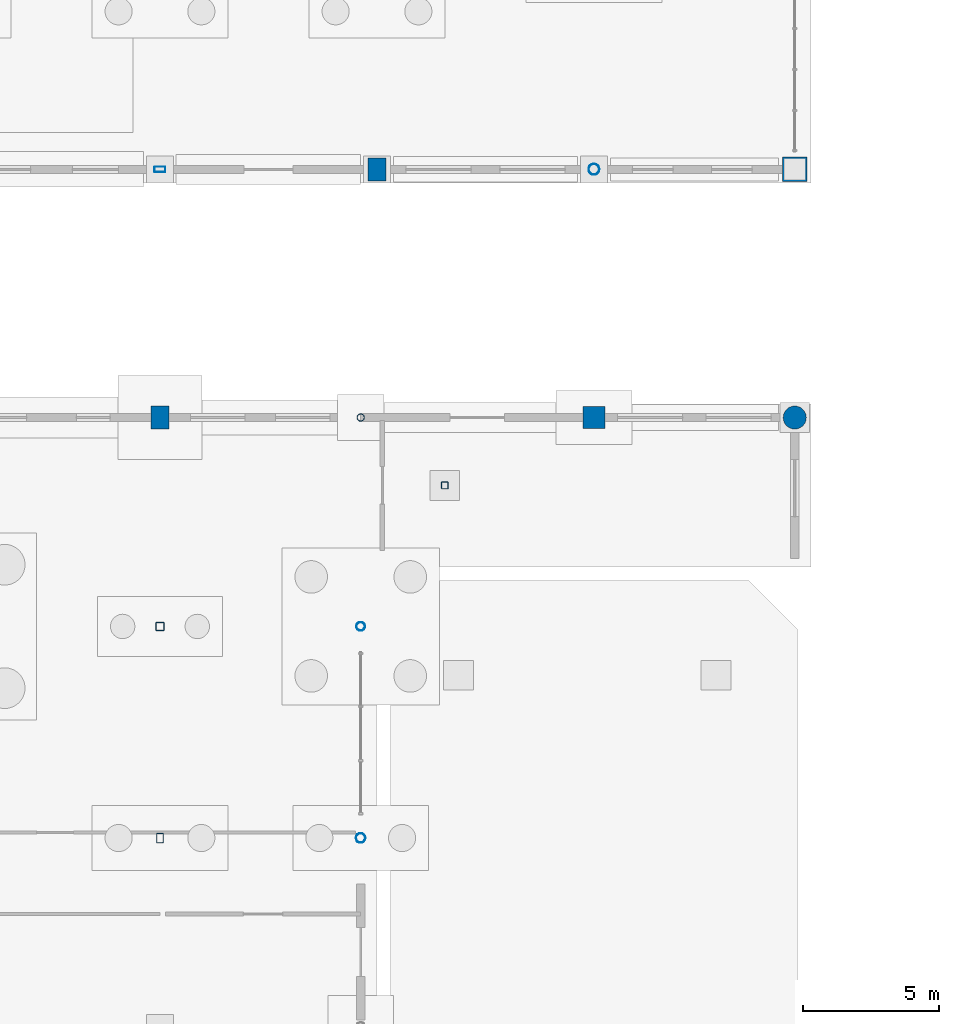
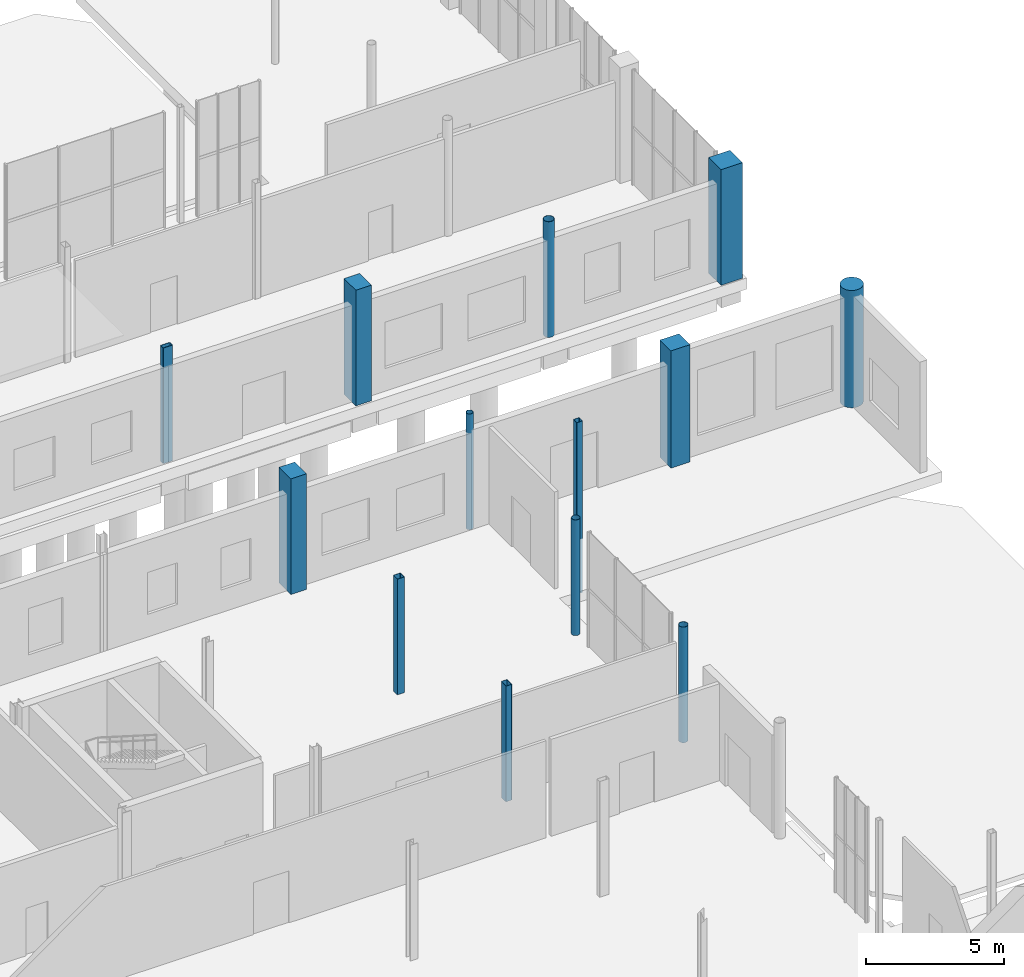
# One storey, part 31 of 87: 13 columns.
"""IFC4 building model written with IfcOpenShell, lengths in metres."""

from ifc_helpers import new_model, si_unit, direction, frame, origin, origin_2d, place, context, subcontext, project, spatial, rectangle, hollow_rectangle, circle, hollow_circle, extrude, material, material_profile, profile_set, type_object, element, save


model = new_model("IFC4")

# Units and contexts
model_context = context("Model", 3, precision=1e-05, world=origin(), true_north=direction((0.0, 1.0)))
body_context = subcontext(model_context, "Body", "Model", "MODEL_VIEW")
ifc_project = project(units=[si_unit("LENGTHUNIT", "METRE"), si_unit("AREAUNIT", "SQUARE_METRE"), si_unit("VOLUMEUNIT", "CUBIC_METRE"), si_unit("PLANEANGLEUNIT", "RADIAN"), si_unit("MASSUNIT", "GRAM", prefix="KILO")], contexts=[model_context])

# Site, building, storey
site_placement = place(None, origin())
site = spatial("IfcSite", under=ifc_project, at=site_placement, CompositionType="ELEMENT")
building_placement = place(site_placement, origin())
building = spatial("IfcBuilding", under=site, at=building_placement, Name="Brisemont Oceanarium", CompositionType="ELEMENT")
storey_placement = place(building_placement, origin())
storey = spatial("IfcBuildingStorey", under=building, at=storey_placement, Name="L00", CompositionType="ELEMENT", Elevation=0.0)

# Columns
ifc_material_1 = material(Name="Structural Steel ASTM A500 Gr.C", Category="steel")
ifc_material_profile_1 = material_profile(ifc_material_1, hollow_circle(Radius=0.136474609375, WallThickness=0.01171875, at=origin_2d()), Name="HSS10.750X0.500")
ifc_profile_set_1 = profile_set([ifc_material_profile_1], Name="Structural Steel ASTM A500 Gr.C")
column_type_1 = type_object("IfcColumnType", Name="COL-CHS10", PredefinedType="COLUMN", material=ifc_profile_set_1)
column_1_placement = place(storey_placement, frame((143.39990234375, 71.5, 0.0), z_axis=(0.0, 0.0, 1.0), x_axis=(0.0, 1.0, 0.0)))
element("IfcColumn", 1, at=column_1_placement, inside=storey, type_object=column_type_1, Name="V5E L00 column (4,5)", PredefinedType="COLUMN", context=body_context, shape_type="SweptSolid", body=[
    extrude(hollow_circle(Radius=0.136474609375, WallThickness=0.01171875, at=origin_2d()), origin(), (0.0, 0.0, 1.0), 5.1201171875),
])
ifc_material_2 = material(Name="Structural Steel ASTM A500 Gr.C", Category="steel")
ifc_material_profile_2 = material_profile(ifc_material_2, hollow_circle(Radius=0.162109375, WallThickness=0.01171875, at=origin_2d()), Name="HSS12.750X0.500")
ifc_profile_set_2 = profile_set([ifc_material_profile_2], Name="Structural Steel ASTM A500 Gr.C")
column_type_2 = type_object("IfcColumnType", Name="COL-CHS12", PredefinedType="COLUMN", material=ifc_profile_set_2)
column_2_placement = place(storey_placement, frame((143.39990234375, 63.800048828125, 0.0), z_axis=(0.0, 0.0, 1.0), x_axis=(1.0, 0.0, 0.0)))
element("IfcColumn", 2, at=column_2_placement, inside=storey, type_object=column_type_2, Name="V5E L00 column (4,4)", PredefinedType="COLUMN", context=body_context, shape_type="SweptSolid", body=[
    extrude(hollow_circle(Radius=0.162109375, WallThickness=0.01171875, at=origin_2d()), origin(), (0.0, 0.0, 1.0), 5.1201171875),
])
ifc_material_3 = material(Name="Structural Steel ASTM A500 Gr.C", Category="steel")
ifc_material_profile_3 = material_profile(ifc_material_3, hollow_circle(Radius=0.177978515625, WallThickness=0.01171875, at=origin_2d()), Name="HSS14.000X0.500")
ifc_profile_set_3 = profile_set([ifc_material_profile_3], Name="Structural Steel ASTM A500 Gr.C")
column_type_3 = type_object("IfcColumnType", Name="COL-CHS14", PredefinedType="COLUMN", material=ifc_profile_set_3)
column_3_placement = place(storey_placement, frame((143.39990234375, 56.0, 0.0), z_axis=(0.0, 0.0, 1.0), x_axis=(0.0, 1.0, 0.0)))
element("IfcColumn", 3, at=column_3_placement, inside=storey, type_object=column_type_3, Name="V5E L00 column (4,3)", PredefinedType="COLUMN", context=body_context, shape_type="SweptSolid", body=[
    extrude(hollow_circle(Radius=0.177978515625, WallThickness=0.01171875, at=origin_2d()), origin(), (0.0, 0.0, 1.0), 5.1201171875),
])
ifc_material_4 = material(Name="Structural Steel ASTM A500 Gr.C", Category="steel")
ifc_material_profile_4 = material_profile(ifc_material_4, hollow_circle(Radius=0.202880859375, WallThickness=0.01171875, at=origin_2d()), Name="HSS16.000X0.500")
ifc_profile_set_4 = profile_set([ifc_material_profile_4], Name="Structural Steel ASTM A500 Gr.C")
column_type_4 = type_object("IfcColumnType", Name="COL-CHS16", PredefinedType="COLUMN", material=ifc_profile_set_4)
column_4_placement = place(storey_placement, frame((152.0, 80.64990234375, 0.0), z_axis=(0.0, 0.0, 1.0), x_axis=(0.0, 1.0, 0.0)))
element("IfcColumn", 4, at=column_4_placement, inside=storey, type_object=column_type_4, Name="V6 L00 column (5,0)", PredefinedType="COLUMN", context=body_context, shape_type="SweptSolid", body=[
    extrude(hollow_circle(Radius=0.202880859375, WallThickness=0.01171875, at=origin_2d()), origin(), (0.0, 0.0, 1.0), 5.1201171875),
])
ifc_material_5 = material(Name="Structural Steel ASTM A500 Gr.C", Category="steel")
ifc_material_profile_5 = material_profile(ifc_material_5, hollow_rectangle(XDim=0.25390625, YDim=0.25390625, WallThickness=0.01171875, InnerFilletRadius=0.01220703125, OuterFilletRadius=0.02392578125, at=origin_2d()), Name="HSS10X10X1/2")
ifc_profile_set_5 = profile_set([ifc_material_profile_5], Name="Structural Steel ASTM A500 Gr.C")
column_type_5 = type_object("IfcColumnType", Name="COL-HSS10X10", PredefinedType="COLUMN", material=ifc_profile_set_5)
column_5_placement = place(storey_placement, frame((146.5, 69.0, -2.39990234375), z_axis=(0.0, 0.0, 1.0), x_axis=(1.0, 0.0, 0.0)))
element("IfcColumn", 5, at=column_5_placement, inside=storey, type_object=column_type_5, Name="V5E loggia pier 2", PredefinedType="COLUMN", context=body_context, shape_type="SweptSolid", body=[
    extrude(hollow_rectangle(XDim=0.25390625, YDim=0.25390625, WallThickness=0.01171875, InnerFilletRadius=0.01220703125, OuterFilletRadius=0.02392578125, at=origin_2d()), origin(), (0.0, 0.0, 1.0), 7.58984375),
])
ifc_material_6 = material(Name="Structural Steel ASTM A500 Gr.C", Category="steel")
ifc_material_profile_6 = material_profile(ifc_material_6, hollow_rectangle(XDim=0.304931640625, YDim=0.304931640625, WallThickness=0.01171875, InnerFilletRadius=0.01220703125, OuterFilletRadius=0.02392578125, at=origin_2d()), Name="HSS12X12X1/2")
ifc_profile_set_6 = profile_set([ifc_material_profile_6], Name="Structural Steel ASTM A500 Gr.C")
column_type_6 = type_object("IfcColumnType", Name="COL-HSS12X12", PredefinedType="COLUMN", material=ifc_profile_set_6)
column_6_placement = place(storey_placement, frame((136.0, 63.800048828125, 0.0), z_axis=(0.0, 0.0, 1.0), x_axis=(0.0, 1.0, 0.0)))
element("IfcColumn", 6, at=column_6_placement, inside=storey, type_object=column_type_6, Name="V5E L00 column (3,4)", PredefinedType="COLUMN", context=body_context, shape_type="SweptSolid", body=[
    extrude(hollow_rectangle(XDim=0.304931640625, YDim=0.304931640625, WallThickness=0.01171875, InnerFilletRadius=0.01220703125, OuterFilletRadius=0.02392578125, at=origin_2d()), origin(), (0.0, 0.0, 1.0), 5.1201171875),
])
ifc_material_7 = material(Name="Structural Steel ASTM A500 Gr.C", Category="steel")
ifc_material_profile_7 = material_profile(ifc_material_7, hollow_rectangle(XDim=0.25390625, YDim=0.35595703125, WallThickness=0.01171875, InnerFilletRadius=0.01220703125, OuterFilletRadius=0.02392578125, at=origin_2d()), Name="HSS14X10X1/2")
ifc_profile_set_7 = profile_set([ifc_material_profile_7], Name="Structural Steel ASTM A500 Gr.C")
column_type_7 = type_object("IfcColumnType", Name="COL-HSS14X10", PredefinedType="COLUMN", material=ifc_profile_set_7)
column_7_placement = place(storey_placement, frame((136.0, 56.0, 0.0), z_axis=(0.0, 0.0, 1.0), x_axis=(1.0, 0.0, 0.0)))
element("IfcColumn", 7, at=column_7_placement, inside=storey, type_object=column_type_7, Name="V5E L00 column (3,3)", PredefinedType="COLUMN", context=body_context, shape_type="SweptSolid", body=[
    extrude(hollow_rectangle(XDim=0.25390625, YDim=0.35595703125, WallThickness=0.01171875, InnerFilletRadius=0.01220703125, OuterFilletRadius=0.02392578125, at=origin_2d()), origin(), (0.0, 0.0, 1.0), 5.1201171875),
])
ifc_material_8 = material(Name="Structural Steel ASTM A500 Gr.C", Category="steel")
ifc_material_profile_8 = material_profile(ifc_material_8, hollow_rectangle(XDim=0.202880859375, YDim=0.406005859375, WallThickness=0.01171875, InnerFilletRadius=0.01220703125, OuterFilletRadius=0.02392578125, at=origin_2d()), Name="HSS16X8X1/2")
ifc_profile_set_8 = profile_set([ifc_material_profile_8], Name="Structural Steel ASTM A500 Gr.C")
column_type_8 = type_object("IfcColumnType", Name="COL-HSS16X8", PredefinedType="COLUMN", material=ifc_profile_set_8)
column_8_placement = place(storey_placement, frame((136.0, 80.64990234375, 0.0), z_axis=(0.0, 0.0, 1.0), x_axis=(0.0, 1.0, 0.0)))
element("IfcColumn", 8, at=column_8_placement, inside=storey, type_object=column_type_8, Name="V6 L00 column (3,0)", PredefinedType="COLUMN", context=body_context, shape_type="SweptSolid", body=[
    extrude(hollow_rectangle(XDim=0.202880859375, YDim=0.406005859375, WallThickness=0.01171875, InnerFilletRadius=0.01220703125, OuterFilletRadius=0.02392578125, at=origin_2d()), origin(), (0.0, 0.0, 1.0), 5.1201171875),
])
ifc_material_9 = material(Name="Concrete C40/50", Category="concrete")
ifc_material_profile_9 = material_profile(ifc_material_9, rectangle(XDim=0.800048828125, YDim=0.800048828125, at=origin_2d()), Name="RC-COL-800X800")
ifc_profile_set_9 = profile_set([ifc_material_profile_9], Name="Concrete C40/50")
column_type_9 = type_object("IfcColumnType", Name="COL-RC800", PredefinedType="COLUMN", material=ifc_profile_set_9)
column_9_placement = place(storey_placement, frame((152.0, 71.5, 0.0), z_axis=(0.0, 0.0, 1.0), x_axis=(1.0, 0.0, 0.0)))
element("IfcColumn", 9, at=column_9_placement, inside=storey, type_object=column_type_9, Name="V5E L00 column (5,5)", PredefinedType="COLUMN", context=body_context, shape_type="SweptSolid", body=[
    extrude(rectangle(XDim=0.800048828125, YDim=0.800048828125, at=origin_2d()), origin(), (0.0, 0.0, 1.0), 5.18994140625),
])
ifc_material_10 = material(Name="Concrete C40/50", Category="concrete")
ifc_material_profile_10 = material_profile(ifc_material_10, rectangle(XDim=0.89990234375, YDim=0.89990234375, at=origin_2d()), Name="RC-COL-900X900")
ifc_profile_set_10 = profile_set([ifc_material_profile_10], Name="Concrete C40/50")
column_type_10 = type_object("IfcColumnType", Name="COL-RC900", PredefinedType="COLUMN", material=ifc_profile_set_10)
column_10_placement = place(storey_placement, frame((159.39990234375, 80.64990234375, 0.0), z_axis=(0.0, 0.0, 1.0), x_axis=(1.0, 0.0, 0.0)))
element("IfcColumn", 10, at=column_10_placement, inside=storey, type_object=column_type_10, Name="V6 L00 column (6,0)", PredefinedType="COLUMN", context=body_context, shape_type="SweptSolid", body=[
    extrude(rectangle(XDim=0.89990234375, YDim=0.89990234375, at=origin_2d()), origin(), (0.0, 0.0, 1.0), 5.1201171875),
])
ifc_material_11 = material(Name="Concrete C40/50", Category="concrete")
ifc_material_profile_11 = material_profile(ifc_material_11, circle(Radius=0.425048828125, at=origin_2d()), Name="RC-COL-D850")
ifc_profile_set_11 = profile_set([ifc_material_profile_11], Name="Concrete C40/50")
column_type_11 = type_object("IfcColumnType", Name="COL-RCD850", PredefinedType="COLUMN", material=ifc_profile_set_11)
column_11_placement = place(storey_placement, frame((159.39990234375, 71.5, 0.0), z_axis=(0.0, 0.0, 1.0), x_axis=(0.0, 1.0, 0.0)))
element("IfcColumn", 11, at=column_11_placement, inside=storey, type_object=column_type_11, Name="V5E L00 column (6,5)", PredefinedType="COLUMN", context=body_context, shape_type="SweptSolid", body=[
    extrude(circle(Radius=0.425048828125, at=origin_2d()), origin(), (0.0, 0.0, 1.0), 5.18994140625),
])
ifc_material_12 = material(Name="Precast Concrete C40/50", Category="concrete")
ifc_material_profile_12 = material_profile(ifc_material_12, rectangle(XDim=0.64990234375, YDim=0.85009765625, at=origin_2d()), Name="RC-PIL-650X850")
ifc_profile_set_12 = profile_set([ifc_material_profile_12], Name="Precast Concrete C40/50")
column_type_12 = type_object("IfcColumnType", Name="PIL-RC650X850", PredefinedType="PILASTER", material=ifc_profile_set_12)
for number, where, z_axis, x_axis, name in (
    (12, (136.0, 71.5, 0.0), (0.0, 0.0, 1.0), (1.0, 0.0, 0.0), "V5E L00 column (3,5)"),
    (13, (144.0, 80.64990234375, 0.0), (0.0, 0.0, 1.0), (1.0, 0.0, 0.0), "V6 L00 column (4,0)"),
):
    element("IfcColumn", number, at=place(storey_placement, frame(where, z_axis=z_axis, x_axis=x_axis)), inside=storey, type_object=column_type_12, Name=name, PredefinedType="PILASTER", context=body_context, shape_type="SweptSolid", body=[
        extrude(rectangle(XDim=0.64990234375, YDim=0.85009765625, at=origin_2d()), origin(), (0.0, 0.0, 1.0), 5.1201171875),
    ])

save(model, "model.ifc")
